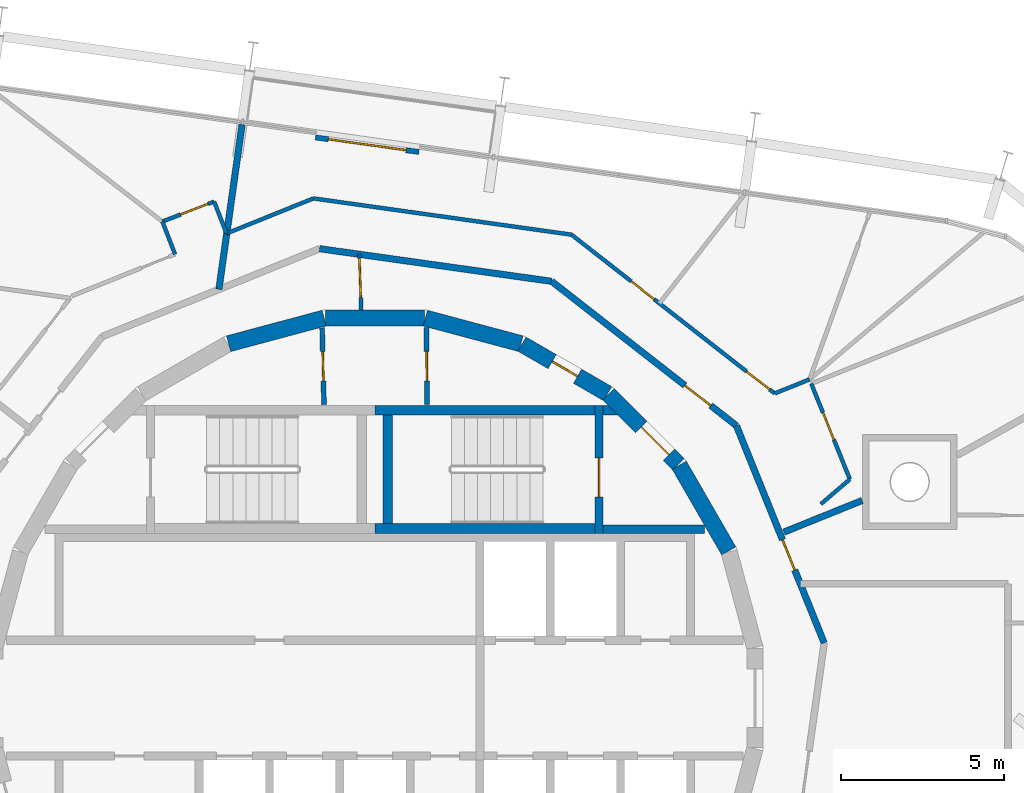
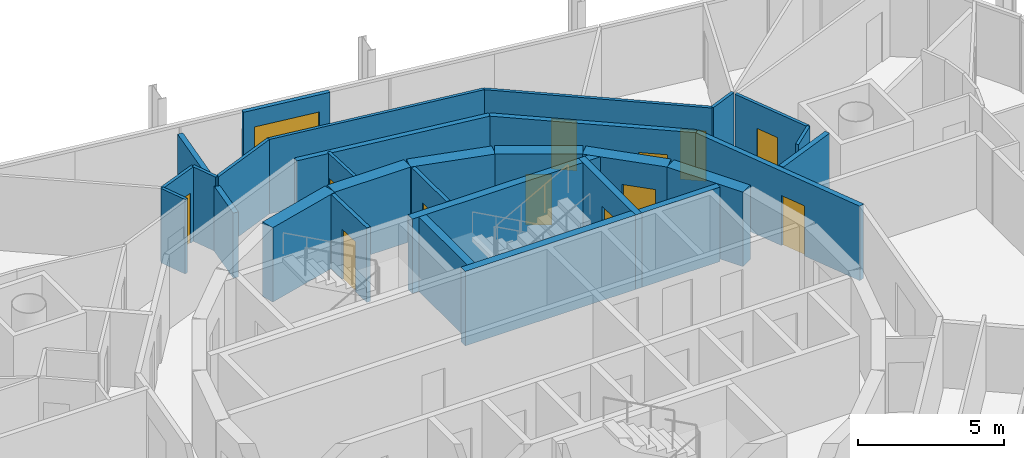
# One storey, part 13 of 15: 30 walls, 13 doors, 13 openings.
"""IFC4 building model written with IfcOpenShell, lengths in metres."""

import ifcopenshell
import ifcopenshell.guid

model = None  # the IFC model being written
_history = None  # IfcOwnerHistory: only IFC2X3 demands one
_inside = {}  # id of a spatial element -> (the spatial element, [elements in it])
_under = {}  # id of a project, library or spatial element -> (it, [spatial elements below it])
_declared = {}  # id of a project -> (the project, [libraries it declares])
_typed = {}  # id of a type object -> (the type object, [elements of that type])
_made_of = {}  # id of a material, layer set ... -> (it, [elements and type objects made of it])


def new_model(schema):
    """Start an empty IFC model of exactly this schema.

    Asked for "IFC4X3", IfcOpenShell would pick the latest addendum, in which some entities
    have other attributes; the version numbers below select the first issue.
    IFC2X3 requires an IfcOwnerHistory on every rooted entity: one is made here for all.
    """
    global model, _history
    if schema == "IFC4X3":
        model = ifcopenshell.file(schema_version=(4, 3, 0, 0))
    else:
        model = ifcopenshell.file(schema=schema)
    _inside.clear()
    _under.clear()
    _declared.clear()
    _typed.clear()
    _made_of.clear()
    _history = None
    if model.schema == "IFC2X3":
        org = make("IfcOrganization", Name="unknown")
        user = make(
            "IfcPersonAndOrganization",
            ThePerson=make("IfcPerson", FamilyName="unknown"),
            TheOrganization=org,
        )
        app = make(
            "IfcApplication",
            ApplicationDeveloper=org,
            Version="unknown",
            ApplicationFullName="unknown",
            ApplicationIdentifier="unknown",
        )
        _history = make(
            "IfcOwnerHistory",
            OwningUser=user,
            OwningApplication=app,
            ChangeAction="ADDED",
            CreationDate=0,
        )
    return model


def make(cls, **values):
    """One entity of the class cls with the attributes given. An attribute that is None is left unset."""
    return model.create_entity(
        cls, **{name: value for name, value in values.items() if value is not None}
    )


def rooted(cls, **values):
    """An entity with a GlobalId (a new one), such as an element, a storey or a relation."""
    return make(cls, GlobalId=ifcopenshell.guid.new(), OwnerHistory=_history, **values)


def si_unit(unit_type, name, prefix=None):
    """IfcSIUnit, for example si_unit("LENGTHUNIT", "METRE", prefix="MILLI")."""
    return make("IfcSIUnit", UnitType=unit_type, Prefix=prefix, Name=name)


def assignment(units):
    """IfcUnitAssignment: the units of a project."""
    return None if units is None else make("IfcUnitAssignment", Units=units)


def point(xyz):
    """IfcCartesianPoint."""
    return None if xyz is None else make("IfcCartesianPoint", Coordinates=xyz)


def direction(xyz):
    """IfcDirection."""
    return None if xyz is None else make("IfcDirection", DirectionRatios=xyz)


def frame(location, z_axis=None, x_axis=None):
    """IfcAxis2Placement3D, a coordinate frame: its origin and axes. An axis left out is left unset."""
    return make(
        "IfcAxis2Placement3D",
        Location=point(location),
        Axis=direction(z_axis),
        RefDirection=direction(x_axis),
    )


def frame_2d(location, x_axis=None):
    """IfcAxis2Placement2D, a coordinate frame in the plane: its origin and x axis."""
    return make(
        "IfcAxis2Placement2D", Location=point(location), RefDirection=direction(x_axis)
    )


def origin():
    """The frame at (0, 0, 0) with its axes left unset."""
    return frame((0.0, 0.0, 0.0))


def place(relative_to, where):
    """IfcLocalPlacement: puts the frame where relative to a parent placement (None: the world)."""
    return make(
        "IfcLocalPlacement", PlacementRelTo=relative_to, RelativePlacement=where
    )


def context(
    kind, dimensions, precision=None, world=None, true_north=None, identifier=None
):
    """IfcGeometricRepresentationContext, for example the 3D "Model" context."""
    return make(
        "IfcGeometricRepresentationContext",
        ContextIdentifier=identifier,
        ContextType=kind,
        CoordinateSpaceDimension=dimensions,
        Precision=precision,
        WorldCoordinateSystem=world,
        TrueNorth=true_north,
    )


def subcontext(parent, identifier, kind, view, scale=None):
    """IfcGeometricRepresentationSubContext, for example "Body" below "Model"."""
    return make(
        "IfcGeometricRepresentationSubContext",
        ContextIdentifier=identifier,
        ContextType=kind,
        ParentContext=parent,
        TargetScale=scale,
        TargetView=view,
    )


def project(units=None, contexts=None):
    """IfcProject with its units and contexts."""
    return rooted(
        "IfcProject",
        Name="project",
        RepresentationContexts=contexts,
        UnitsInContext=assignment(units),
    )


def spatial(cls, under=None, at=None, **own):
    """A site, building, storey or space (cls), placed at a placement, below another one or the project."""
    s = rooted(cls, ObjectPlacement=at, **own)
    if under is not None:
        _under.setdefault(under.id(), (under, []))[1].append(s)
    return s


def polyline(points):
    """IfcPolyline through the points."""
    return make("IfcPolyline", Points=[point(p) for p in points])


def profile(cls, at=None, kind="AREA", **sizes):
    """A parametric profile (cls). Its sizes go by their IFC names, for example OverallWidth=200.0."""
    return make(cls, ProfileType=kind, Position=at, **sizes)


def rectangle(**sizes):
    """IfcRectangleProfileDef."""
    return profile("IfcRectangleProfileDef", **sizes)


def outline(outer, holes=None, kind="AREA"):
    """IfcArbitraryClosedProfileDef: a profile drawn as a closed curve; with holes, ...WithVoids."""
    if holes is None:
        return make("IfcArbitraryClosedProfileDef", ProfileType=kind, OuterCurve=outer)
    return make(
        "IfcArbitraryProfileDefWithVoids",
        ProfileType=kind,
        OuterCurve=outer,
        InnerCurves=holes,
    )


def extrude(swept, where, along, depth):
    """IfcExtrudedAreaSolid: the profile swept, set in the frame where, extruded along a direction by depth."""
    return make(
        "IfcExtrudedAreaSolid",
        SweptArea=swept,
        Position=where,
        ExtrudedDirection=direction(along),
        Depth=depth,
    )


def shape(context_of_items, identifier, shape_type, items):
    """IfcShapeRepresentation: the items that make up one representation, for example the "Body"."""
    return make(
        "IfcShapeRepresentation",
        ContextOfItems=context_of_items,
        RepresentationIdentifier=identifier,
        RepresentationType=shape_type,
        Items=items,
    )


def material(Name=None, Category=None):
    """IfcMaterial."""
    return make("IfcMaterial", Name=Name, Category=Category)


def layer(
    of_material, thickness, ventilated=None, Name=None, Category=None, Priority=None
):
    """IfcMaterialLayer: one layer of a wall or slab, of a material (None: an air gap)."""
    return make(
        "IfcMaterialLayer",
        Material=of_material,
        LayerThickness=thickness,
        IsVentilated=ventilated,
        Name=Name,
        Category=Category,
        Priority=Priority,
    )


def layer_set(layers, Name=None):
    """IfcMaterialLayerSet."""
    return make("IfcMaterialLayerSet", MaterialLayers=layers, LayerSetName=Name)


def made_of(thing, what):
    """Note that an element or type object is made of a material, layer set ...; save() writes the relation."""
    if what is not None:
        _made_of.setdefault(what.id(), (what, []))[1].append(thing)
    return thing


def type_object(cls, material=None, **own):
    """A type object (cls), such as IfcWallType, which elements share."""
    return made_of(rooted(cls, **own), material)


def element(
    cls,
    number,
    at=None,
    inside=None,
    cuts=None,
    type_object=None,
    material=None,
    context=None,
    identifier="Body",
    shape_type=None,
    held_by="IfcProductDefinitionShape",
    body=None,
    shapes=None,
    **own,
):
    """One element of the class cls, such as IfcWall. Its Tag is "e" and its number.

    at: its placement. inside: the storey or other place that contains it. cuts: it is an
    opening in that element (IfcRelVoidsElement). A single representation is given by context,
    identifier, shape_type and body (its items); several are given by shapes. held_by: the class
    of the entity that holds the representations. save() writes the other relations.
    """
    e = rooted(cls, Tag="e%d" % number, ObjectPlacement=at, **own)
    if body is not None:
        shapes = [shape(context, identifier, shape_type, body)]
    if shapes is not None:
        e.Representation = make(held_by, Representations=shapes)
    if inside is not None:
        _inside.setdefault(inside.id(), (inside, []))[1].append(e)
    if cuts is not None:
        rooted(
            "IfcRelVoidsElement", RelatingBuildingElement=cuts, RelatedOpeningElement=e
        )
    if type_object is not None:
        _typed.setdefault(type_object.id(), (type_object, []))[1].append(e)
    return made_of(e, material)


def fill(opening, filler):
    """IfcRelFillsElement: the door or window that sits in an opening."""
    return rooted(
        "IfcRelFillsElement",
        RelatingOpeningElement=opening,
        RelatedBuildingElement=filler,
    )


def aggregate(whole, parts):
    """IfcRelAggregates: a whole, such as a stair, and the parts it consists of."""
    return rooted("IfcRelAggregates", RelatingObject=whole, RelatedObjects=parts)


def save(model, path):
    """Write the relations noted so far, then the file.

    IfcRelAggregates (storeys below a building ...), IfcRelContainedInSpatialStructure (elements
    in a storey), IfcRelDefinesByType, IfcRelAssociatesMaterial and IfcRelDeclares: one each for
    every whole, place, type object, material and project.
    """
    for whole, parts in _under.values():
        aggregate(whole, parts)
    for where, things in _inside.values():
        rooted(
            "IfcRelContainedInSpatialStructure",
            RelatedElements=things,
            RelatingStructure=where,
        )
    for kind, things in _typed.values():
        rooted("IfcRelDefinesByType", RelatedObjects=things, RelatingType=kind)
    for what, things in _made_of.values():
        rooted("IfcRelAssociatesMaterial", RelatedObjects=things, RelatingMaterial=what)
    for by, libraries in _declared.values():
        rooted("IfcRelDeclares", RelatingContext=by, RelatedDefinitions=libraries)
    model.write(path)


model = new_model("IFC4")

# Units and contexts
model_context = context("Model", 3, precision=1e-05, world=origin(), true_north=direction((0.0, 1.0)))
body_context = subcontext(model_context, "Body", "Model", "MODEL_VIEW")
ifc_project = project(units=[si_unit("LENGTHUNIT", "METRE"), si_unit("AREAUNIT", "SQUARE_METRE"), si_unit("VOLUMEUNIT", "CUBIC_METRE"), si_unit("PLANEANGLEUNIT", "RADIAN"), si_unit("MASSUNIT", "GRAM", prefix="KILO")], contexts=[model_context])

# Site, building, storey
site_placement = place(None, origin())
site = spatial("IfcSite", under=ifc_project, at=site_placement, CompositionType="ELEMENT")
building_placement = place(site_placement, origin())
building = spatial("IfcBuilding", under=site, at=building_placement, Name="Spindle Arch Residences", CompositionType="ELEMENT")
storey_placement = place(building_placement, frame((0.0, 0.0, 354.0)))
storey = spatial("IfcBuildingStorey", under=building, at=storey_placement, Name="L91", CompositionType="ELEMENT", Elevation=354.0)

# Wall
ifc_material_1 = material(Name="Concrete C50/60", Category="concrete")
ifc_layer_1 = layer(ifc_material_1, 0.5)
ifc_layer_set_1 = layer_set([ifc_layer_1], Name="Core outline wall 500")
wall_type_1 = type_object("IfcWallType", Name="Core outline wall 500", PredefinedType="SHEAR", material=ifc_layer_set_1)
wall_1_placement = place(storey_placement, frame((10.84521484375, 4.510498046875, 0.0), z_axis=(0.0, 0.0, 1.0), x_axis=(-0.500087131594, 0.865975092491, 0.0)))
element("IfcWall", 1, at=wall_1_placement, inside=storey, type_object=wall_type_1, Name="Core outline wall 8", PredefinedType="SHEAR", context=body_context, shape_type="SweptSolid", body=[
    extrude(rectangle(XDim=3.03271484375, YDim=0.5, at=frame_2d((1.516357421875, 0.0))), origin(), (0.0, 0.0, 1.0), 3.1201171875),
])

# Wall, opening, door
wall_2_placement = place(storey_placement, frame((9.30810546875, 7.163818359375, 0.0), z_axis=(0.0, 0.0, 1.0), x_axis=(-0.707106781187, 0.707106781187, 0.0)))
wall_2 = element("IfcWall", 2, at=wall_2_placement, inside=storey, type_object=wall_type_1, Name="Core outline wall 9", PredefinedType="SHEAR", context=body_context, shape_type="SweptSolid", body=[
    extrude(rectangle(XDim=3.032470703125, YDim=0.5, at=frame_2d((1.51611328125, 0.0))), origin(), (0.0, 0.0, 1.0), 3.1201171875),
])
opening_1_placement = place(wall_2_placement, frame((0.416259765625, 0.0, 0.0)))
opening_1 = element("IfcOpeningElement", 3, at=opening_1_placement, cuts=wall_2, Name="Opening R9C0-AD01", PredefinedType="OPENING", context=body_context, shape_type="SweptSolid", body=[
    extrude(rectangle(XDim=1.199951171875, YDim=2.10009765625, at=frame_2d((0.60009765625, 1.050048828125))), frame((0.0, 0.260009765625, 0.0), z_axis=(0.0, -1.0, 0.0), x_axis=(1.0, 0.0, 0.0)), (0.0, 0.0, 1.0), 0.52001953125),
])
ifc_material_2 = material(Name="Steel, fire-resisting door", Category="steel")
door_type_1 = type_object("IfcDoorType", Name="Stair airlock door 1200x2100", OperationType="SINGLE_SWING_LEFT", PredefinedType="DOOR", material=ifc_material_2)
door_1_placement = place(opening_1_placement, origin())
door_1 = element("IfcDoor", 4, at=door_1_placement, inside=storey, type_object=door_type_1, Name="Stair airlock door R9C0-AD01", OperationType="SINGLE_SWING_RIGHT", OverallHeight=2.10009765625, OverallWidth=1.199951171875, PredefinedType="DOOR", context=body_context, shape_type="SweptSolid", body=[
    extrude(rectangle(XDim=1.199951171875, YDim=2.10009765625, at=frame_2d((0.60009765625, 1.050048828125))), frame((0.0, 0.02490234375, 0.0), z_axis=(0.0, -1.0, 0.0), x_axis=(1.0, 0.0, 0.0)), (0.0, 0.0, 1.0), 0.050048828125),
])
fill(opening_1, door_1)

wall_3_placement = place(storey_placement, frame((7.13671875, 9.32861328125, 0.0), z_axis=(0.0, 0.0, 1.0), x_axis=(-0.865975092491, 0.500087131594, 0.0)))
wall_3 = element("IfcWall", 5, at=wall_3_placement, inside=storey, type_object=wall_type_1, Name="Core outline wall 10", PredefinedType="SHEAR", context=body_context, shape_type="SweptSolid", body=[
    extrude(rectangle(XDim=3.03271484375, YDim=0.5, at=frame_2d((1.516357421875, 0.0))), origin(), (0.0, 0.0, 1.0), 3.1201171875),
])
opening_2_placement = place(wall_3_placement, frame((1.06640625, 0.0, 0.0)))
opening_2 = element("IfcOpeningElement", 6, at=opening_2_placement, cuts=wall_3, Name="Opening R9C0-WD10", PredefinedType="OPENING", context=body_context, shape_type="SweptSolid", body=[
    extrude(rectangle(XDim=0.89990234375, YDim=2.10009765625, at=frame_2d((0.449951171875, 1.050048828125))), frame((0.0, 0.260009765625, 0.0), z_axis=(0.0, -1.0, 0.0), x_axis=(1.0, 0.0, 0.0)), (0.0, 0.0, 1.0), 0.52001953125),
])
ifc_material_3 = material(Name="Steel, fire-resisting door", Category="steel")
door_type_2 = type_object("IfcDoorType", Name="Service room door 900x2100", OperationType="SINGLE_SWING_LEFT", PredefinedType="DOOR", material=ifc_material_3)
door_2_placement = place(opening_2_placement, origin())
door_2 = element("IfcDoor", 7, at=door_2_placement, inside=storey, type_object=door_type_2, Name="Service room door R9C0-WD10", OperationType="SINGLE_SWING_RIGHT", OverallHeight=2.10009765625, OverallWidth=0.89990234375, PredefinedType="DOOR", context=body_context, shape_type="SweptSolid", body=[
    extrude(rectangle(XDim=0.89990234375, YDim=2.10009765625, at=frame_2d((0.449951171875, 1.050048828125))), frame((0.0, 0.02490234375, 0.0), z_axis=(0.0, -1.0, 0.0), x_axis=(1.0, 0.0, 0.0)), (0.0, 0.0, 1.0), 0.050048828125),
])
fill(opening_2, door_2)

# Walls
for number, where, z_axis, x_axis, name in (
    (8, (4.479248046875, 10.858154296875, 0.0), (0.0, 0.0, 1.0), (-0.965948410781, 0.258734743916, 0.0), "Core outline wall 11"),
    (9, (1.516357421875, 11.647216796875, 0.0), (0.0, 0.0, 1.0), (-1.0, 0.0, 0.0), "Core outline wall 12"),
    (10, (-1.5498046875, 11.642822265625, 0.0), (0.0, 0.0, 1.0), (-0.965948410781, -0.258734743916, 0.0), "Core outline wall 13"),
):
    element("IfcWall", number, at=place(storey_placement, frame(where, z_axis=z_axis, x_axis=x_axis)), inside=storey, type_object=wall_type_1, Name=name, PredefinedType="SHEAR", context=body_context, shape_type="SweptSolid", body=[
        extrude(rectangle(XDim=3.03271484375, YDim=0.5, at=frame_2d((1.516357421875, 0.0))), origin(), (0.0, 0.0, 1.0), 3.1201171875),
    ])

# Wall, opening, door
ifc_material_4 = material(Name="Plasterboard on steel studs", Category="steel")
ifc_layer_2 = layer(ifc_material_4, 0.1201171875)
ifc_layer_set_2 = layer_set([ifc_layer_2], Name="Corridor division wall 120")
wall_type_2 = type_object("IfcWallType", Name="Corridor division wall 120", PredefinedType="PARTITIONING", material=ifc_layer_set_2)
wall_4_placement = place(storey_placement, frame((-0.474853515625, 13.598388671875, 0.0), z_axis=(0.0, 0.0, 1.0), x_axis=(0.034852521429, -0.999392466326, 0.0)))
wall_4 = element("IfcWall", 11, at=wall_4_placement, inside=storey, type_object=wall_type_2, Name="Corridor division wall R9C0-W001", PredefinedType="PARTITIONING", context=body_context, shape_type="SweptSolid", body=[
    extrude(rectangle(XDim=1.7021484375, YDim=0.1201171875, at=frame_2d((0.85107421875, 0.0))), origin(), (0.0, 0.0, 1.0), 3.1201171875),
])
opening_3_placement = place(wall_4_placement, frame((0.1201171875, 0.0, 0.0)))
opening_3 = element("IfcOpeningElement", 12, at=opening_3_placement, cuts=wall_4, Name="Opening R9C0-CD01", PredefinedType="OPENING", context=body_context, shape_type="SweptSolid", body=[
    extrude(rectangle(XDim=1.199951171875, YDim=2.10009765625, at=frame_2d((0.60009765625, 1.050048828125))), frame((0.0, 0.070068359375, 0.0), z_axis=(0.0, -1.0, 0.0), x_axis=(1.0, 0.0, 0.0)), (0.0, 0.0, 1.0), 0.14013671875),
])
ifc_material_5 = material(Name="Steel, fire-resisting door", Category="steel")
door_type_3 = type_object("IfcDoorType", Name="Corridor division door 1200x2100", OperationType="NOTDEFINED", PredefinedType="DOOR", material=ifc_material_5)
door_3_placement = place(opening_3_placement, origin())
door_3 = element("IfcDoor", 13, at=door_3_placement, inside=storey, type_object=door_type_3, Name="Corridor division door R9C0-CD01", OperationType="DOUBLE_DOOR_SINGLE_SWING", OverallHeight=2.10009765625, OverallWidth=1.199951171875, PredefinedType="DOOR", context=body_context, shape_type="SweptSolid", body=[
    extrude(rectangle(XDim=1.199951171875, YDim=2.10009765625, at=frame_2d((0.60009765625, 1.050048828125))), frame((0.0, 0.02490234375, 0.0), z_axis=(0.0, -1.0, 0.0), x_axis=(1.0, 0.0, 0.0)), (0.0, 0.0, 1.0), 0.050048828125),
])
fill(opening_3, door_3)

ifc_material_6 = material(Name="Calcium silicate block, plastered")
ifc_layer_3 = layer(ifc_material_6, 0.199951171875)
ifc_layer_set_3 = layer_set([ifc_layer_3], Name="Corridor wall 200")
wall_type_3 = type_object("IfcWallType", Name="Corridor wall 200", PredefinedType="STANDARD", material=ifc_layer_set_3)
wall_5_placement = place(storey_placement, frame((11.0791015625, 8.348876953125, 0.0), z_axis=(0.0, 0.0, 1.0), x_axis=(-0.78800478687, 0.615669112324, 0.0)))
wall_5 = element("IfcWall", 14, at=wall_5_placement, inside=storey, type_object=wall_type_3, Name="Corridor wall R9C0-W006", PredefinedType="STANDARD", context=body_context, shape_type="SweptSolid", body=[
    extrude(rectangle(XDim=7.18115234375, YDim=0.199951171875, at=frame_2d((3.590576171875, 0.0))), origin(), (0.0, 0.0, 1.0), 3.1201171875),
])
opening_4_placement = place(wall_5_placement, frame((1.0, 0.0, 0.0)))
opening_4 = element("IfcOpeningElement", 15, at=opening_4_placement, cuts=wall_5, Name="Opening R9C0-FD02", PredefinedType="OPENING", context=body_context, shape_type="SweptSolid", body=[
    extrude(rectangle(XDim=1.0, YDim=2.10009765625, at=frame_2d((0.5, 1.050048828125))), frame((0.0, 0.10986328125, 0.0), z_axis=(0.0, -1.0, 0.0), x_axis=(1.0, 0.0, 0.0)), (0.0, 0.0, 1.0), 0.219970703125),
])
ifc_material_7 = material(Name="Timber, fire-resisting door set", Category="wood")
door_type_4 = type_object("IfcDoorType", Name="Flat entrance door 1000x2100", OperationType="NOTDEFINED", PredefinedType="DOOR", material=ifc_material_7)
door_4_placement = place(opening_4_placement, origin())
door_4 = element("IfcDoor", 16, at=door_4_placement, inside=storey, type_object=door_type_4, Name="Flat entrance door R9C0-FD02", OperationType="SINGLE_SWING_LEFT", OverallHeight=2.10009765625, OverallWidth=1.0, PredefinedType="DOOR", context=body_context, shape_type="SweptSolid", body=[
    extrude(rectangle(XDim=1.0, YDim=2.10009765625, at=frame_2d((0.5, 1.050048828125))), frame((0.0, 0.02490234375, 0.0), z_axis=(0.0, -1.0, 0.0), x_axis=(1.0, 0.0, 0.0)), (0.0, 0.0, 1.0), 0.050048828125),
])
fill(opening_4, door_4)

# Wall
wall_6_placement = place(storey_placement, frame((5.42041015625, 12.77001953125, 0.0), z_axis=(0.0, 0.0, 1.0), x_axis=(-0.990270565508, 0.139155334385, 0.0)))
element("IfcWall", 17, at=wall_6_placement, inside=storey, type_object=wall_type_3, Name="Corridor wall R9C0-W007", PredefinedType="STANDARD", context=body_context, shape_type="SweptSolid", body=[
    extrude(rectangle(XDim=7.180908203125, YDim=0.199951171875, at=frame_2d((3.59033203125, 0.0))), origin(), (0.0, 0.0, 1.0), 3.1201171875),
])

# Wall, opening, door
ifc_material_8 = material(Name="Calcium silicate block, plastered")
ifc_layer_4 = layer(ifc_material_8, 0.199951171875)
ifc_layer_set_4 = layer_set([ifc_layer_4], Name="Fire-lift lobby bay wall 200")
wall_type_4 = type_object("IfcWallType", Name="Fire-lift lobby bay wall 200", PredefinedType="STANDARD", material=ifc_layer_set_4)
wall_7_placement = place(storey_placement, frame((13.769287109375, 1.690673828125, 0.0), z_axis=(0.0, 0.0, 1.0), x_axis=(-0.374618189599, 0.92717916932, 0.0)))
wall_7 = element("IfcWall", 18, at=wall_7_placement, inside=storey, type_object=wall_type_4, Name="Fire-lift lobby bay wall R9C0-W005", PredefinedType="STANDARD", context=body_context, shape_type="SweptSolid", body=[
    extrude(rectangle(XDim=7.18115234375, YDim=0.199951171875, at=frame_2d((3.590576171875, 0.0))), origin(), (0.0, 0.0, 1.0), 3.1201171875),
])
opening_5_placement = place(wall_7_placement, frame((2.410400390625, 0.0, 0.0)))
opening_5 = element("IfcOpeningElement", 19, at=opening_5_placement, cuts=wall_7, Name="Opening R9C0-FD01", PredefinedType="OPENING", context=body_context, shape_type="SweptSolid", body=[
    extrude(rectangle(XDim=1.0, YDim=2.10009765625, at=frame_2d((0.5, 1.050048828125))), frame((0.0, 0.10986328125, 0.0), z_axis=(0.0, -1.0, 0.0), x_axis=(1.0, 0.0, 0.0)), (0.0, 0.0, 1.0), 0.219970703125),
])
door_5_placement = place(opening_5_placement, origin())
door_5 = element("IfcDoor", 20, at=door_5_placement, inside=storey, type_object=door_type_4, Name="Flat entrance door R9C0-FD01", OperationType="SINGLE_SWING_LEFT", OverallHeight=2.10009765625, OverallWidth=1.0, PredefinedType="DOOR", context=body_context, shape_type="SweptSolid", body=[
    extrude(rectangle(XDim=1.0, YDim=2.10009765625, at=frame_2d((0.5, 1.050048828125))), frame((0.0, 0.02490234375, 0.0), z_axis=(0.0, -1.0, 0.0), x_axis=(1.0, 0.0, 0.0)), (0.0, 0.0, 1.0), 0.050048828125),
])
fill(opening_5, door_5)

# Wall
ifc_material_9 = material(Name="Plasterboard on steel studs", Category="steel")
ifc_layer_5 = layer(ifc_material_9, 0.1201171875)
ifc_layer_set_5 = layer_set([ifc_layer_5], Name="Flat partition 120")
wall_type_5 = type_object("IfcWallType", Name="Flat partition 120", PredefinedType="PARTITIONING", material=ifc_layer_set_5)
wall_8_placement = place(storey_placement, frame((13.66796875, 5.94580078125, 0.0), z_axis=(0.0, 0.0, 1.0), x_axis=(0.759993221436, 0.649930998931, 0.0)))
element("IfcWall", 21, at=wall_8_placement, inside=storey, type_object=wall_type_5, Name="Flat partition R9C0-W040", PredefinedType="PARTITIONING", context=body_context, shape_type="SweptSolid", body=[
    extrude(rectangle(XDim=1.1689453125, YDim=0.1201171875, at=frame_2d((0.58447265625, 0.0))), origin(), (0.0, 0.0, 1.0), 3.1201171875),
])

# Wall, opening, door
wall_9_placement = place(storey_placement, frame((14.556396484375, 6.70556640625, 0.0), z_axis=(0.0, 0.0, 1.0), x_axis=(-0.374599774633, 0.927186609505, 0.0)))
wall_9 = element("IfcWall", 22, at=wall_9_placement, inside=storey, type_object=wall_type_5, Name="Flat partition R9C0-W041", PredefinedType="PARTITIONING", context=body_context, shape_type="SweptSolid", body=[
    extrude(rectangle(XDim=3.158935546875, YDim=0.1201171875, at=frame_2d((1.57958984375, 0.0))), origin(), (0.0, 0.0, 1.0), 3.1201171875),
])
opening_6_placement = place(wall_9_placement, frame((1.300048828125, 0.0, 0.0)))
opening_6 = element("IfcOpeningElement", 23, at=opening_6_placement, cuts=wall_9, Name="Opening R9C0-ID04", PredefinedType="OPENING", context=body_context, shape_type="SweptSolid", body=[
    extrude(rectangle(XDim=0.89990234375, YDim=2.10009765625, at=frame_2d((0.449951171875, 1.050048828125))), frame((0.0, 0.070068359375, 0.0), z_axis=(0.0, -1.0, 0.0), x_axis=(1.0, 0.0, 0.0)), (0.0, 0.0, 1.0), 0.14013671875),
])
ifc_material_10 = material(Name="Timber door set", Category="wood")
door_type_5 = type_object("IfcDoorType", Name="Room door 900x2100", OperationType="NOTDEFINED", PredefinedType="DOOR", material=ifc_material_10)
door_6_placement = place(opening_6_placement, origin())
door_6 = element("IfcDoor", 24, at=door_6_placement, inside=storey, type_object=door_type_5, Name="Room door R9C0-ID04", OperationType="SINGLE_SWING_LEFT", OverallHeight=2.10009765625, OverallWidth=0.89990234375, PredefinedType="DOOR", context=body_context, shape_type="SweptSolid", body=[
    extrude(rectangle(XDim=0.89990234375, YDim=2.10009765625, at=frame_2d((0.449951171875, 1.050048828125))), frame((0.0, 0.02490234375, 0.0), z_axis=(0.0, -1.0, 0.0), x_axis=(1.0, 0.0, 0.0)), (0.0, 0.0, 1.0), 0.050048828125),
])
fill(opening_6, door_6)

# Wall
wall_10_placement = place(storey_placement, frame((13.3203125, 9.765380859375, 0.0), z_axis=(0.0, 0.0, 1.0), x_axis=(-0.92716811739, -0.37464554194, 0.0)))
element("IfcWall", 25, at=wall_10_placement, inside=storey, type_object=wall_type_5, Name="Flat partition R9C0-W042", PredefinedType="PARTITIONING", context=body_context, shape_type="SweptSolid", body=[
    extrude(rectangle(XDim=1.150146484375, YDim=0.1201171875, at=frame_2d((0.5751953125, 0.0))), origin(), (0.0, 0.0, 1.0), 3.1201171875),
])

# Wall, openings, doors
wall_11_placement = place(storey_placement, frame((12.25390625, 9.33447265625, 0.0), z_axis=(0.0, 0.0, 1.0), x_axis=(-0.787994393996, 0.615682414098, 0.0)))
wall_11 = element("IfcWall", 26, at=wall_11_placement, inside=storey, type_object=wall_type_5, Name="Flat partition R9C0-W043", PredefinedType="PARTITIONING", context=body_context, shape_type="SweptSolid", body=[
    extrude(rectangle(XDim=7.90185546875, YDim=0.1201171875, at=frame_2d((3.950927734375, 0.0))), origin(), (0.0, 0.0, 1.0), 3.1201171875),
])
opening_7_placement = place(wall_11_placement, frame((0.199951171875, 0.0, 0.0)))
opening_7 = element("IfcOpeningElement", 27, at=opening_7_placement, cuts=wall_11, Name="Opening R9C0-ID05", PredefinedType="OPENING", context=body_context, shape_type="SweptSolid", body=[
    extrude(rectangle(XDim=0.89990234375, YDim=2.10009765625, at=frame_2d((0.449951171875, 1.050048828125))), frame((0.0, 0.070068359375, 0.0), z_axis=(0.0, -1.0, 0.0), x_axis=(1.0, 0.0, 0.0)), (0.0, 0.0, 1.0), 0.14013671875),
])
opening_8_placement = place(wall_11_placement, frame((4.6826171875, 0.0, 0.0)))
opening_8 = element("IfcOpeningElement", 28, at=opening_8_placement, cuts=wall_11, Name="Opening R9C0-ID06", PredefinedType="OPENING", context=body_context, shape_type="SweptSolid", body=[
    extrude(rectangle(XDim=0.89990234375, YDim=2.10009765625, at=frame_2d((0.449951171875, 1.050048828125))), frame((0.0, 0.070068359375, 0.0), z_axis=(0.0, -1.0, 0.0), x_axis=(1.0, 0.0, 0.0)), (0.0, 0.0, 1.0), 0.14013671875),
])
door_7_placement = place(opening_7_placement, origin())
door_7 = element("IfcDoor", 29, at=door_7_placement, inside=storey, type_object=door_type_5, Name="Room door R9C0-ID05", OperationType="SINGLE_SWING_LEFT", OverallHeight=2.10009765625, OverallWidth=0.89990234375, PredefinedType="DOOR", context=body_context, shape_type="SweptSolid", body=[
    extrude(rectangle(XDim=0.89990234375, YDim=2.10009765625, at=frame_2d((0.449951171875, 1.050048828125))), frame((0.0, 0.02490234375, 0.0), z_axis=(0.0, -1.0, 0.0), x_axis=(1.0, 0.0, 0.0)), (0.0, 0.0, 1.0), 0.050048828125),
])
fill(opening_7, door_7)
door_8_placement = place(opening_8_placement, origin())
door_8 = element("IfcDoor", 30, at=door_8_placement, inside=storey, type_object=door_type_5, Name="Room door R9C0-ID06", OperationType="SINGLE_SWING_LEFT", OverallHeight=2.10009765625, OverallWidth=0.89990234375, PredefinedType="DOOR", context=body_context, shape_type="SweptSolid", body=[
    extrude(rectangle(XDim=0.89990234375, YDim=2.10009765625, at=frame_2d((0.449951171875, 1.050048828125))), frame((0.0, 0.02490234375, 0.0), z_axis=(0.0, -1.0, 0.0), x_axis=(1.0, 0.0, 0.0)), (0.0, 0.0, 1.0), 0.050048828125),
])
fill(opening_8, door_8)

# Walls
wall_12_placement = place(storey_placement, frame((6.02734375, 14.199462890625, 0.0), z_axis=(0.0, 0.0, 1.0), x_axis=(-0.990271593532, 0.139148018469, 0.0)))
element("IfcWall", 31, at=wall_12_placement, inside=storey, type_object=wall_type_5, Name="Flat partition R9C0-W044", PredefinedType="PARTITIONING", context=body_context, shape_type="SweptSolid", body=[
    extrude(rectangle(XDim=7.98486328125, YDim=0.1201171875, at=frame_2d((3.992431640625, 0.0))), origin(), (0.0, 0.0, 1.0), 3.1201171875),
])
wall_13_placement = place(storey_placement, frame((-1.8798828125, 15.310546875, 0.0), z_axis=(0.0, 0.0, 1.0), x_axis=(-0.927176894493, -0.374623819743, 0.0)))
element("IfcWall", 32, at=wall_13_placement, inside=storey, type_object=wall_type_5, Name="Flat partition R9C0-W045", PredefinedType="PARTITIONING", context=body_context, shape_type="SweptSolid", body=[
    extrude(rectangle(XDim=2.8623046875, YDim=0.1201171875, at=frame_2d((1.43115234375, 0.0))), origin(), (0.0, 0.0, 1.0), 3.1201171875),
])
wall_14_placement = place(storey_placement, frame((-4.541748046875, 14.235107421875, 0.0), z_axis=(0.0, 0.0, 1.0), x_axis=(-0.360785401119, 0.932648859078, 0.0)))
element("IfcWall", 33, at=wall_14_placement, inside=storey, type_object=wall_type_5, Name="Flat partition R9C0-W050", PredefinedType="PARTITIONING", context=body_context, shape_type="SweptSolid", body=[
    extrude(rectangle(XDim=1.05029296875, YDim=0.1201171875, at=frame_2d((0.525146484375, 0.0))), origin(), (0.0, 0.0, 1.0), 3.1201171875),
])

# Wall, opening, door
wall_15_placement = place(storey_placement, frame((-4.920654296875, 15.214599609375, 0.0), z_axis=(0.0, 0.0, 1.0), x_axis=(-0.93265541153, -0.360768462236, 0.0)))
wall_15 = element("IfcWall", 34, at=wall_15_placement, inside=storey, type_object=wall_type_5, Name="Flat partition R9C0-W051", PredefinedType="PARTITIONING", context=body_context, shape_type="SweptSolid", body=[
    extrude(rectangle(XDim=1.699951171875, YDim=0.1201171875, at=frame_2d((0.85009765625, 0.0))), origin(), (0.0, 0.0, 1.0), 3.1201171875),
])
opening_9_placement = place(wall_15_placement, frame((0.199951171875, 0.0, 0.0)))
opening_9 = element("IfcOpeningElement", 35, at=opening_9_placement, cuts=wall_15, Name="Opening R9C0-ID08", PredefinedType="OPENING", context=body_context, shape_type="SweptSolid", body=[
    extrude(rectangle(XDim=0.89990234375, YDim=2.10009765625, at=frame_2d((0.449951171875, 1.050048828125))), frame((0.0, 0.070068359375, 0.0), z_axis=(0.0, -1.0, 0.0), x_axis=(1.0, 0.0, 0.0)), (0.0, 0.0, 1.0), 0.14013671875),
])
door_9_placement = place(opening_9_placement, origin())
door_9 = element("IfcDoor", 36, at=door_9_placement, inside=storey, type_object=door_type_5, Name="Room door R9C0-ID08", OperationType="SINGLE_SWING_RIGHT", OverallHeight=2.10009765625, OverallWidth=0.89990234375, PredefinedType="DOOR", context=body_context, shape_type="SweptSolid", body=[
    extrude(rectangle(XDim=0.89990234375, YDim=2.10009765625, at=frame_2d((0.449951171875, 1.050048828125))), frame((0.0, 0.02490234375, 0.0), z_axis=(0.0, -1.0, 0.0), x_axis=(1.0, 0.0, 0.0)), (0.0, 0.0, 1.0), 0.050048828125),
])
fill(opening_9, door_9)

# Walls
wall_16_placement = place(storey_placement, frame((-6.506103515625, 14.601318359375, 0.0), z_axis=(0.0, 0.0, 1.0), x_axis=(0.36075842677, -0.932659293373, 0.0)))
element("IfcWall", 37, at=wall_16_placement, inside=storey, type_object=wall_type_5, Name="Flat partition R9C0-W052", PredefinedType="PARTITIONING", context=body_context, shape_type="SweptSolid", body=[
    extrude(rectangle(XDim=1.075439453125, YDim=0.1201171875, at=frame_2d((0.53759765625, 0.0))), origin(), (0.0, 0.0, 1.0), 3.1201171875),
])
ifc_material_11 = material(Name="Calcium silicate block, plastered")
ifc_layer_6 = layer(ifc_material_11, 0.199951171875)
ifc_layer_set_6 = layer_set([ifc_layer_6], Name="Flat party wall 200")
wall_type_6 = type_object("IfcWallType", Name="Flat party wall 200", PredefinedType="STANDARD", material=ifc_layer_set_6)
wall_17_placement = place(storey_placement, frame((14.93359375, 6.05615234375, 0.0), z_axis=(0.0, 0.0, 1.0), x_axis=(-0.927181938396, -0.374611336071, 0.0)))
element("IfcWall", 38, at=wall_17_placement, inside=storey, type_object=wall_type_6, Name="Flat party wall R9C0-W023", PredefinedType="STANDARD", context=body_context, shape_type="SweptSolid", body=[
    extrude(rectangle(XDim=2.5859375, YDim=0.199951171875, at=frame_2d((1.29296875, 0.0))), origin(), (0.0, 0.0, 1.0), 3.1201171875),
])
ifc_material_12 = material(Name="Calcium silicate block, plastered")
ifc_layer_7 = layer(ifc_material_12, 0.199951171875)
ifc_layer_set_7 = layer_set([ifc_layer_7], Name="Flat party wall 200 under beam 2730")
wall_type_7 = type_object("IfcWallType", Name="Flat party wall 200 under beam 2730", PredefinedType="STANDARD", material=ifc_layer_set_7)
wall_18_placement = place(storey_placement, frame((-4.06494140625, 17.5751953125, 0.0), z_axis=(0.0, 0.0, 1.0), x_axis=(-0.139163175955, -0.990269463559, 0.0)))
element("IfcWall", 39, at=wall_18_placement, inside=storey, type_object=wall_type_7, Name="Flat party wall R9C0-W025", PredefinedType="STANDARD", context=body_context, shape_type="SweptSolid", body=[
    extrude(rectangle(XDim=5.1015625, YDim=0.199951171875, at=frame_2d((2.55078125, 0.0))), origin(), (0.0, 0.0, 1.0), 2.72998046875),
])

# Wall, opening, door
ifc_material_13 = material(Name="Non-combustible mineral wool insulated aluminium faced external wall (K0)", Category="aluminium")
ifc_layer_8 = layer(ifc_material_13, 0.159912109375)
ifc_layer_set_8 = layer_set([ifc_layer_8], Name="Insulated external wall panel 160")
wall_type_8 = type_object("IfcWallType", Name="Insulated external wall panel 160", PredefinedType="STANDARD", material=ifc_layer_set_8)
wall_19_placement = place(storey_placement, frame((1.353515625, 16.73291015625, 0.0), z_axis=(0.0, 0.0, 1.0), x_axis=(-0.990270382149, 0.139156639217, 0.0)))
wall_19 = element("IfcWall", 40, at=wall_19_placement, inside=storey, type_object=wall_type_8, Name="External wall L91 bay 7", PredefinedType="STANDARD", context=body_context, shape_type="SweptSolid", body=[
    extrude(rectangle(XDim=3.2001953125, YDim=0.159912109375, at=frame_2d((1.60009765625, 0.0))), origin(), (0.0, 0.0, 1.0), 3.1201171875),
])
opening_10_placement = place(wall_19_placement, frame((0.39990234375, 0.0, 0.0)))
opening_10 = element("IfcOpeningElement", 41, at=opening_10_placement, cuts=wall_19, Name="Opening BD07", PredefinedType="OPENING", context=body_context, shape_type="SweptSolid", body=[
    extrude(rectangle(XDim=2.39990234375, YDim=2.39990234375, at=frame_2d((1.199951171875, 1.199951171875))), frame((0.0, 0.08984375, 0.0), z_axis=(0.0, -1.0, 0.0), x_axis=(1.0, 0.0, 0.0)), (0.0, 0.0, 1.0), 0.179931640625),
])
ifc_material_14 = material(Name="Bronze aluminium frame, tinted double glazing", Category="aluminium")
door_type_6 = type_object("IfcDoorType", Name="Sliding glazed balcony door 2400x2400", OperationType="DOUBLE_DOOR_SLIDING", PredefinedType="DOOR", material=ifc_material_14)
door_10_placement = place(opening_10_placement, origin())
door_10 = element("IfcDoor", 42, at=door_10_placement, inside=storey, type_object=door_type_6, Name="Balcony door BD07", OperationType="DOUBLE_DOOR_SLIDING", OverallHeight=2.39990234375, OverallWidth=2.39990234375, PredefinedType="DOOR", context=body_context, shape_type="SweptSolid", body=[
    extrude(rectangle(XDim=2.39990234375, YDim=2.39990234375, at=frame_2d((1.199951171875, 1.199951171875))), frame((0.0, 0.02490234375, 0.0), z_axis=(0.0, -1.0, 0.0), x_axis=(1.0, 0.0, 0.0)), (0.0, 0.0, 1.0), 0.050048828125),
])
fill(opening_10, door_10)

ifc_material_15 = material(Name="Concrete C25/30", Category="concrete")
ifc_layer_9 = layer(ifc_material_15, 0.14990234375)
ifc_layer_set_9 = layer_set([ifc_layer_9], Name="Service room partition 150")
wall_type_9 = type_object("IfcWallType", Name="Service room partition 150", PredefinedType="PARTITIONING", material=ifc_layer_set_9)
wall_20_placement = place(storey_placement, frame((1.585693359375, 11.3544921875, 0.0), z_axis=(0.0, 0.0, 1.0), x_axis=(0.007227482881, -0.999973881405, 0.0)))
wall_20 = element("IfcWall", 43, at=wall_20_placement, inside=storey, type_object=wall_type_9, Name="Core service room partition", PredefinedType="PARTITIONING", context=body_context, shape_type="SweptSolid", body=[
    extrude(rectangle(XDim=2.364501953125, YDim=0.14990234375, at=frame_2d((1.18212890625, 0.0))), origin(), (0.0, 0.0, 1.0), 3.1201171875),
])
opening_11_placement = place(wall_20_placement, frame((0.732177734375, 0.0, 0.0)))
opening_11 = element("IfcOpeningElement", 44, at=opening_11_placement, cuts=wall_20, Name="Opening R9C0-WD06", PredefinedType="OPENING", context=body_context, shape_type="SweptSolid", body=[
    extrude(rectangle(XDim=0.89990234375, YDim=2.10009765625, at=frame_2d((0.449951171875, 1.050048828125))), frame((0.0, 0.0849609375, 0.0), z_axis=(0.0, -1.0, 0.0), x_axis=(1.0, 0.0, 0.0)), (0.0, 0.0, 1.0), 0.169921875),
])
door_11_placement = place(opening_11_placement, origin())
door_11 = element("IfcDoor", 45, at=door_11_placement, inside=storey, type_object=door_type_2, Name="Service room door R9C0-WD06", OperationType="SINGLE_SWING_RIGHT", OverallHeight=2.10009765625, OverallWidth=0.89990234375, PredefinedType="DOOR", context=body_context, shape_type="SweptSolid", body=[
    extrude(rectangle(XDim=0.89990234375, YDim=2.10009765625, at=frame_2d((0.449951171875, 1.050048828125))), frame((0.0, 0.02490234375, 0.0), z_axis=(0.0, -1.0, 0.0), x_axis=(1.0, 0.0, 0.0)), (0.0, 0.0, 1.0), 0.050048828125),
])
fill(opening_11, door_11)

wall_21_placement = place(storey_placement, frame((-1.555419921875, 8.989990234375, 0.0), z_axis=(0.0, 0.0, 1.0), x_axis=(-0.024125549686, 0.999708936567, 0.0)))
wall_21 = element("IfcWall", 46, at=wall_21_placement, inside=storey, type_object=wall_type_9, Name="Core service room partition", PredefinedType="PARTITIONING", context=body_context, shape_type="SweptSolid", body=[
    extrude(rectangle(XDim=2.35791015625, YDim=0.14990234375, at=frame_2d((1.178955078125, 0.0))), origin(), (0.0, 0.0, 1.0), 3.1201171875),
])
opening_12_placement = place(wall_21_placement, frame((0.72900390625, 0.0, 0.0)))
opening_12 = element("IfcOpeningElement", 47, at=opening_12_placement, cuts=wall_21, Name="Opening R9C0-WD07", PredefinedType="OPENING", context=body_context, shape_type="SweptSolid", body=[
    extrude(rectangle(XDim=0.89990234375, YDim=2.10009765625, at=frame_2d((0.449951171875, 1.050048828125))), frame((0.0, 0.0849609375, 0.0), z_axis=(0.0, -1.0, 0.0), x_axis=(1.0, 0.0, 0.0)), (0.0, 0.0, 1.0), 0.169921875),
])
door_12_placement = place(opening_12_placement, origin())
door_12 = element("IfcDoor", 48, at=door_12_placement, inside=storey, type_object=door_type_2, Name="Service room door R9C0-WD07", OperationType="SINGLE_SWING_LEFT", OverallHeight=2.10009765625, OverallWidth=0.89990234375, PredefinedType="DOOR", context=body_context, shape_type="SweptSolid", body=[
    extrude(rectangle(XDim=0.89990234375, YDim=2.10009765625, at=frame_2d((0.449951171875, 1.050048828125))), frame((0.0, 0.02490234375, 0.0), z_axis=(0.0, -1.0, 0.0), x_axis=(1.0, 0.0, 0.0)), (0.0, 0.0, 1.0), 0.050048828125),
])
fill(opening_12, door_12)

# Walls
ifc_material_16 = material(Name="Concrete C40/50", Category="concrete")
ifc_layer_10 = layer(ifc_material_16, 0.25)
ifc_layer_set_10 = layer_set([ifc_layer_10], Name="Stair airlock wall 250")
wall_type_10 = type_object("IfcWallType", Name="Stair airlock wall 250", PredefinedType="SHEAR", material=ifc_layer_set_10)
wall_22_placement = place(storey_placement, frame((7.0, 5.175048828125, 0.0), z_axis=(0.0, 0.0, 1.0), x_axis=(1.0, 0.0, 0.0)))
element("IfcWall", 49, at=wall_22_placement, inside=storey, type_object=wall_type_10, Name="Stair ST-1 airlock wall S", PredefinedType="SHEAR", context=body_context, shape_type="SweptSolid", body=[
    extrude(rectangle(XDim=3.10009765625, YDim=0.25, at=frame_2d((1.550048828125, 0.0))), origin(), (0.0, 0.0, 1.0), 3.1201171875),
])
ifc_material_17 = material(Name="Concrete C40/50", Category="concrete")
wall_type_11 = type_object("IfcWallType", Name="Stair airlock wall profile", PredefinedType="SHEAR", material=ifc_material_17)
wall_23_placement = place(storey_placement, origin())
element("IfcWall", 50, at=wall_23_placement, inside=storey, type_object=wall_type_11, Name="Stair ST-1 airlock wall N", PredefinedType="SHEAR", context=body_context, shape_type="SweptSolid", body=[
    extrude(outline(polyline([(7.4482421875, 8.669921875), (7.0, 8.669921875), (7.0, 8.969970703125), (7.148193359375, 8.969970703125), (7.4482421875, 8.669921875)])), origin(), (0.0, 0.0, 1.0), 3.1201171875),
])

# Wall, opening, door
ifc_material_18 = material(Name="Concrete C50/60", Category="concrete")
ifc_layer_11 = layer(ifc_material_18, 0.25)
ifc_layer_set_11 = layer_set([ifc_layer_11], Name="Stair enclosure wall 250")
wall_type_12 = type_object("IfcWallType", Name="Stair enclosure wall 250", PredefinedType="SHEAR", material=ifc_layer_set_11)
wall_24_placement = place(storey_placement, frame((6.875, 5.050048828125, 0.0), z_axis=(0.0, 0.0, 1.0), x_axis=(0.0, 1.0, 0.0)))
wall_24 = element("IfcWall", 51, at=wall_24_placement, inside=storey, type_object=wall_type_12, Name="Stair ST-1 door wall", PredefinedType="SHEAR", context=body_context, shape_type="SweptSolid", body=[
    extrude(rectangle(XDim=3.919921875, YDim=0.25, at=frame_2d((1.9599609375, 0.0))), origin(), (0.0, 0.0, 1.0), 3.1201171875),
])
opening_13_placement = place(wall_24_placement, frame((1.110107421875, 0.0, 0.0)))
opening_13 = element("IfcOpeningElement", 52, at=opening_13_placement, cuts=wall_24, Name="Opening R9C0-SD01", PredefinedType="OPENING", context=body_context, shape_type="SweptSolid", body=[
    extrude(rectangle(XDim=1.199951171875, YDim=2.10009765625, at=frame_2d((0.60009765625, 1.050048828125))), frame((0.0, 0.135009765625, 0.0), z_axis=(0.0, -1.0, 0.0), x_axis=(1.0, 0.0, 0.0)), (0.0, 0.0, 1.0), 0.27001953125),
])
ifc_material_19 = material(Name="Steel, fire-resisting door", Category="steel")
door_type_7 = type_object("IfcDoorType", Name="Stair door 1200x2100", OperationType="SINGLE_SWING_RIGHT", PredefinedType="DOOR", material=ifc_material_19)
door_13_placement = place(opening_13_placement, origin())
door_13 = element("IfcDoor", 53, at=door_13_placement, inside=storey, type_object=door_type_7, Name="Stair door R9C0-SD01", OperationType="SINGLE_SWING_LEFT", OverallHeight=2.10009765625, OverallWidth=1.199951171875, PredefinedType="DOOR", context=body_context, shape_type="SweptSolid", body=[
    extrude(rectangle(XDim=1.199951171875, YDim=2.10009765625, at=frame_2d((0.60009765625, 1.050048828125))), frame((0.0, 0.02490234375, 0.0), z_axis=(0.0, -1.0, 0.0), x_axis=(1.0, 0.0, 0.0)), (0.0, 0.0, 1.0), 0.050048828125),
])
fill(opening_13, door_13)

# Walls
ifc_material_20 = material(Name="Concrete C50/60", Category="concrete")
ifc_layer_12 = layer(ifc_material_20, 0.300048828125)
ifc_layer_set_12 = layer_set([ifc_layer_12], Name="Stair enclosure wall 300")
wall_type_13 = type_object("IfcWallType", Name="Stair enclosure wall 300", PredefinedType="SHEAR", material=ifc_layer_set_12)
for number, where, z_axis, x_axis, name in (
    (54, (0.0, 5.199951171875, 0.0), (0.0, 0.0, 1.0), (1.0, 0.0, 0.0), "Stair ST-1 enclosure wall S"),
    (55, (0.0, 8.820068359375, 0.0), (0.0, 0.0, 1.0), (1.0, 0.0, 0.0), "Stair ST-1 enclosure wall N"),
):
    element("IfcWall", number, at=place(storey_placement, frame(where, z_axis=z_axis, x_axis=x_axis)), inside=storey, type_object=wall_type_13, Name=name, PredefinedType="SHEAR", context=body_context, shape_type="SweptSolid", body=[
        extrude(rectangle(XDim=6.75, YDim=0.300048828125, at=frame_2d((3.375, 0.0))), origin(), (0.0, 0.0, 1.0), 3.1201171875),
    ])
wall_25_placement = place(storey_placement, frame((0.39990234375, 5.35009765625, 0.0), z_axis=(0.0, 0.0, 1.0), x_axis=(0.0, 1.0, 0.0)))
element("IfcWall", 56, at=wall_25_placement, inside=storey, type_object=wall_type_13, Name="Stair ST-1 enclosure wall F", PredefinedType="SHEAR", context=body_context, shape_type="SweptSolid", body=[
    extrude(rectangle(XDim=3.31982421875, YDim=0.300048828125, at=frame_2d((1.659912109375, 0.0))), origin(), (0.0, 0.0, 1.0), 3.1201171875),
])

save(model, "model.ifc")
